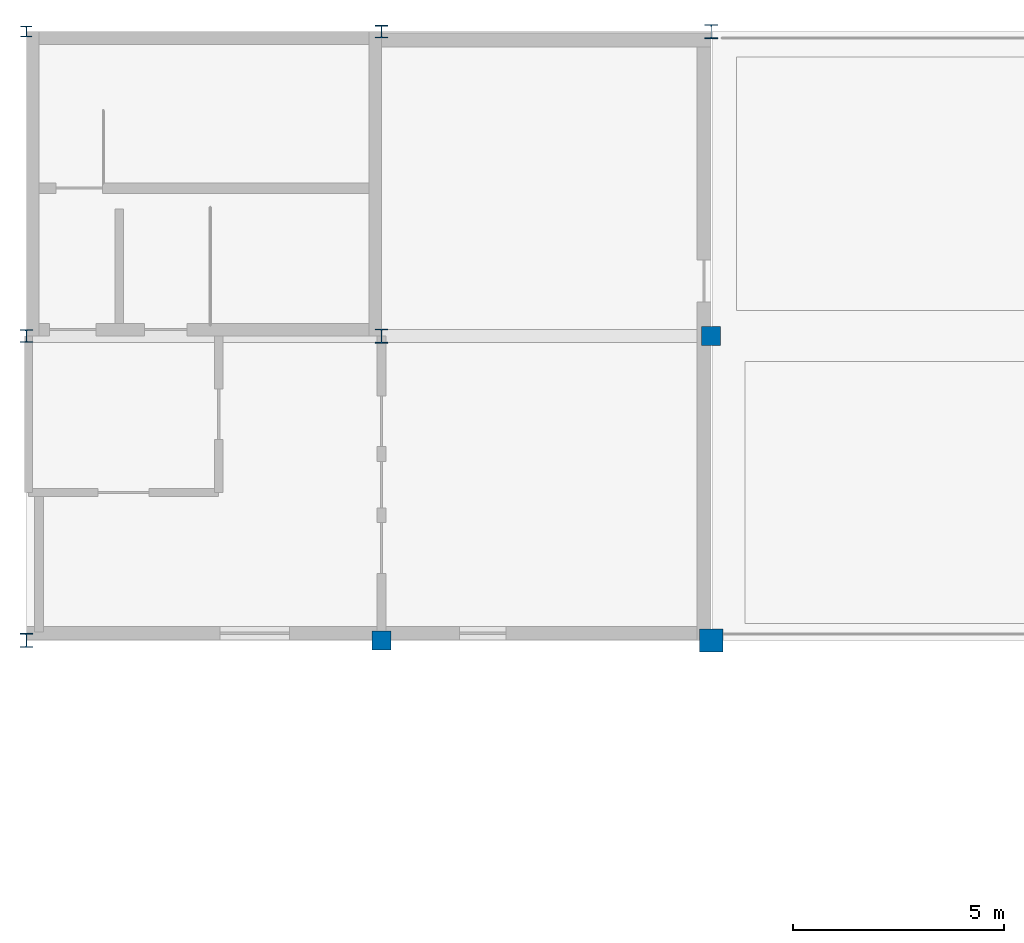
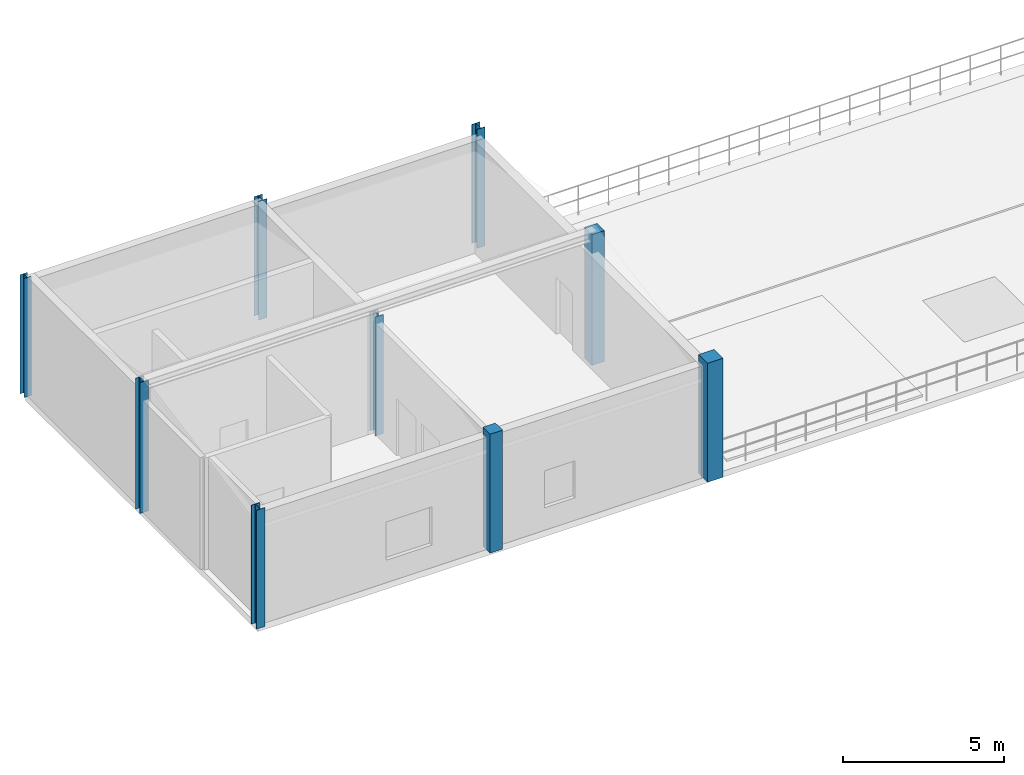
# One storey, part 1 of 5: 9 columns.
"""IFC4 building model written with IfcOpenShell, lengths in metres."""

from ifc_helpers import new_model, si_unit, derived_unit, direction, frame, origin, origin_2d, place, context, subcontext, project, spatial, rectangle, i_section, extrude, material, material_profile, profile_set, type_object, element, save


model = new_model("IFC4")

# Units and contexts
model_context = context("Model", 3, precision=1e-05, world=origin(), true_north=direction((0.0, 1.0)))
body_context = subcontext(model_context, "Body", "Model", "MODEL_VIEW")
ifc_project = project(units=[si_unit("LENGTHUNIT", "METRE"), si_unit("AREAUNIT", "SQUARE_METRE"), si_unit("VOLUMEUNIT", "CUBIC_METRE"), si_unit("PLANEANGLEUNIT", "RADIAN"), si_unit("MASSUNIT", "GRAM", prefix="KILO"), derived_unit("THERMALTRANSMITTANCEUNIT", [(si_unit("POWERUNIT", "WATT"), 1), (si_unit("AREAUNIT", "SQUARE_METRE"), -1), (si_unit("THERMODYNAMICTEMPERATUREUNIT", "KELVIN"), -1)])], contexts=[model_context])

# Site, building, storey
site_placement = place(None, origin())
site = spatial("IfcSite", under=ifc_project, at=site_placement, CompositionType="ELEMENT")
building_placement = place(site_placement, origin())
building = spatial("IfcBuilding", under=site, at=building_placement, Name="Yasenodar Specialist Clinic", CompositionType="ELEMENT")
storey_placement = place(building_placement, frame((0.0, 0.0, 29.39990234375)))
storey = spatial("IfcBuildingStorey", under=building, at=storey_placement, Name="RF", CompositionType="ELEMENT", Elevation=29.39990234375)

# Columns
ifc_material_1 = material(Name="Concrete C35/45", Category="concrete")
ifc_material_profile_1 = material_profile(ifc_material_1, rectangle(XDim=0.449951171875, YDim=0.449951171875, at=origin_2d()), Name="RC 450x450")
ifc_profile_set_1 = profile_set([ifc_material_profile_1], Name="Concrete C35/45")
column_type_1 = type_object("IfcColumnType", Name="COL-RC-450", PredefinedType="COLUMN", material=ifc_profile_set_1)
column_1_placement = place(storey_placement, frame((65.39990234375, 97.199951171875, 0.0), z_axis=(0.0, 0.0, 1.0), x_axis=(1.0, 0.0, 0.0)))
element("IfcColumn", 1, at=column_1_placement, inside=storey, type_object=column_type_1, Name="RF Column V5-095", PredefinedType="COLUMN", context=body_context, shape_type="SweptSolid", body=[
    extrude(rectangle(XDim=0.449951171875, YDim=0.449951171875, at=origin_2d()), origin(), (0.0, 0.0, 1.0), 4.5),
])
column_2_placement = place(storey_placement, frame((73.199951171875, 104.39990234375, 0.0), z_axis=(0.0, 0.0, 1.0), x_axis=(1.0, 0.0, 0.0)))
element("IfcColumn", 2, at=column_2_placement, inside=storey, type_object=column_type_1, Name="RF Column V5-101", PredefinedType="COLUMN", context=body_context, shape_type="SweptSolid", body=[
    extrude(rectangle(XDim=0.449951171875, YDim=0.449951171875, at=origin_2d()), origin(), (0.0, 0.0, 1.0), 4.9501953125),
])
ifc_material_profile_2 = material_profile(ifc_material_1, rectangle(XDim=0.550048828125, YDim=0.550048828125, at=origin_2d()), Name="RC 550x550")
ifc_profile_set_2 = profile_set([ifc_material_profile_2], Name="Concrete C35/45")
column_type_2 = type_object("IfcColumnType", Name="COL-RC-550", PredefinedType="COLUMN", material=ifc_profile_set_2)
column_3_placement = place(storey_placement, frame((73.199951171875, 97.199951171875, 0.0), z_axis=(0.0, 0.0, 1.0), x_axis=(1.0, 0.0, 0.0)))
element("IfcColumn", 3, at=column_3_placement, inside=storey, type_object=column_type_2, Name="RF Column V5-100", PredefinedType="COLUMN", context=body_context, shape_type="SweptSolid", body=[
    extrude(rectangle(XDim=0.550048828125, YDim=0.550048828125, at=origin_2d()), origin(), (0.0, 0.0, 1.0), 4.5),
])
ifc_material_2 = material(Name="Steel S355", Category="steel")
ifc_material_profile_3 = material_profile(ifc_material_2, i_section(OverallWidth=0.260009765625, OverallDepth=0.25, WebThickness=0.007568359375, FlangeThickness=0.012451171875, FilletRadius=0.02392578125, at=origin_2d()), Name="HEA 260")
ifc_profile_set_3 = profile_set([ifc_material_profile_3], Name="Steel S355")
column_type_3 = type_object("IfcColumnType", Name="COL-ST-HEA260", PredefinedType="COLUMN", material=ifc_profile_set_3)
column_4_placement = place(storey_placement, frame((57.0, 111.60009765625, 0.0), z_axis=(0.0, 0.0, 1.0), x_axis=(1.0, 0.0, 0.0)))
element("IfcColumn", 4, at=column_4_placement, inside=storey, type_object=column_type_3, Name="RF Column V5-092", PredefinedType="COLUMN", context=body_context, shape_type="SweptSolid", body=[
    extrude(i_section(OverallWidth=0.260009765625, OverallDepth=0.25, WebThickness=0.007568359375, FlangeThickness=0.012451171875, FilletRadius=0.02392578125, at=origin_2d()), origin(), (0.0, 0.0, 1.0), 4.5),
])
ifc_material_profile_4 = material_profile(ifc_material_2, i_section(OverallWidth=0.300048828125, OverallDepth=0.2900390625, WebThickness=0.008544921875, FlangeThickness=0.013916015625, FilletRadius=0.027099609375, at=origin_2d()), Name="HEA 300")
ifc_profile_set_4 = profile_set([ifc_material_profile_4], Name="Steel S355")
column_type_4 = type_object("IfcColumnType", Name="COL-ST-HEA300", PredefinedType="COLUMN", material=ifc_profile_set_4)
column_5_placement = place(storey_placement, frame((57.0, 104.39990234375, 0.0), z_axis=(0.0, 0.0, 1.0), x_axis=(1.0, 0.0, 0.0)))
element("IfcColumn", 5, at=column_5_placement, inside=storey, type_object=column_type_4, Name="RF Column V5-091", PredefinedType="COLUMN", context=body_context, shape_type="SweptSolid", body=[
    extrude(i_section(OverallWidth=0.300048828125, OverallDepth=0.2900390625, WebThickness=0.008544921875, FlangeThickness=0.013916015625, FilletRadius=0.027099609375, at=origin_2d()), origin(), (0.0, 0.0, 1.0), 4.9501953125),
])
column_6_placement = place(storey_placement, frame((65.39990234375, 111.60009765625, 0.0), z_axis=(0.0, 0.0, 1.0), x_axis=(1.0, 0.0, 0.0)))
element("IfcColumn", 6, at=column_6_placement, inside=storey, type_object=column_type_4, Name="RF Column V5-097", PredefinedType="COLUMN", context=body_context, shape_type="SweptSolid", body=[
    extrude(i_section(OverallWidth=0.300048828125, OverallDepth=0.2900390625, WebThickness=0.008544921875, FlangeThickness=0.013916015625, FilletRadius=0.027099609375, at=origin_2d()), origin(), (0.0, 0.0, 1.0), 4.5),
])
ifc_material_profile_5 = material_profile(ifc_material_2, i_section(OverallWidth=0.300048828125, OverallDepth=0.330078125, WebThickness=0.009521484375, FlangeThickness=0.0166015625, FilletRadius=0.027099609375, at=origin_2d()), Name="HEA 340")
ifc_profile_set_5 = profile_set([ifc_material_profile_5], Name="Steel S355")
column_type_5 = type_object("IfcColumnType", Name="COL-ST-HEA340", PredefinedType="COLUMN", material=ifc_profile_set_5)
for number, where, z_axis, x_axis, name in (
    (7, (57.0, 97.199951171875, 0.0), (0.0, 0.0, 1.0), (1.0, 0.0, 0.0), "RF Column V5-090"),
    (8, (65.39990234375, 104.39990234375, 0.0), (0.0, 0.0, 1.0), (1.0, 0.0, 0.0), "RF Column V5-096"),
    (9, (73.199951171875, 111.60009765625, 0.0), (0.0, 0.0, 1.0), (1.0, 0.0, 0.0), "RF Column V5-102"),
):
    element("IfcColumn", number, at=place(storey_placement, frame(where, z_axis=z_axis, x_axis=x_axis)), inside=storey, type_object=column_type_5, Name=name, PredefinedType="COLUMN", context=body_context, shape_type="SweptSolid", body=[
        extrude(i_section(OverallWidth=0.300048828125, OverallDepth=0.330078125, WebThickness=0.009521484375, FlangeThickness=0.0166015625, FilletRadius=0.027099609375, at=origin_2d()), origin(), (0.0, 0.0, 1.0), 4.5),
    ])

save(model, "model.ifc")
